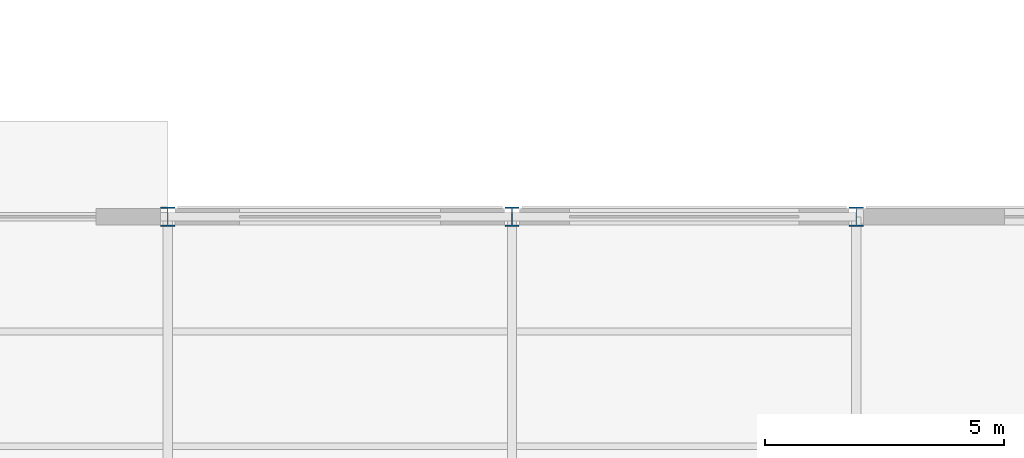
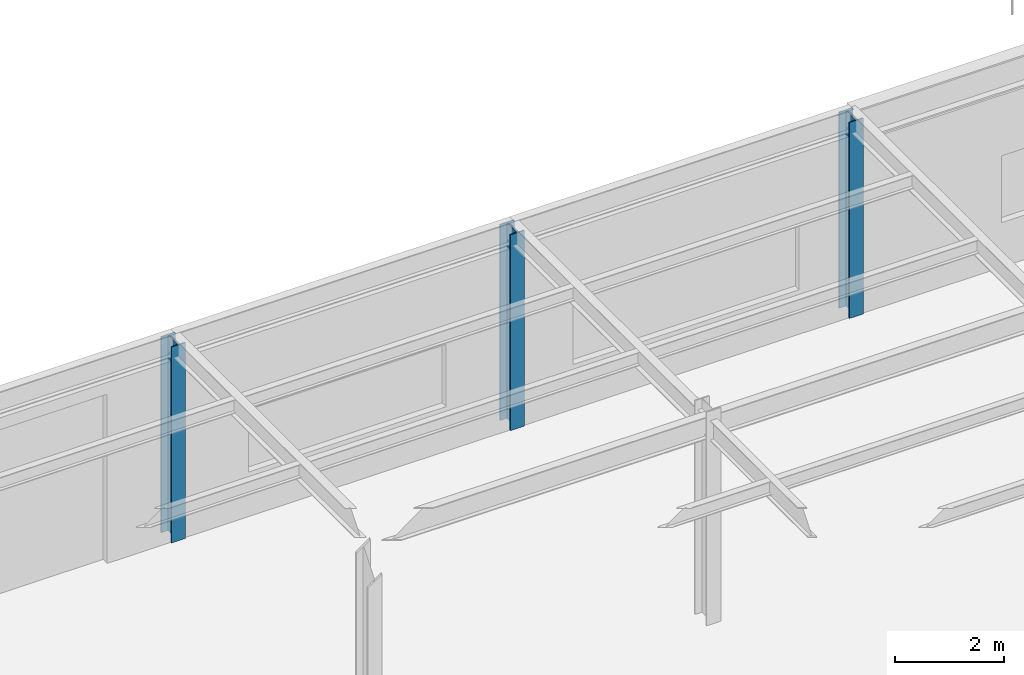
# One storey, part 13 of 83: 3 columns.
"""IFC4 building model written with IfcOpenShell, lengths in metres."""

from ifc_helpers import new_model, si_unit, direction, frame, origin, origin_2d, place, context, subcontext, project, spatial, i_section, extrude, material, material_profile, profile_set, type_object, element, save


model = new_model("IFC4")

# Units and contexts
model_context = context("Model", 3, precision=1e-05, world=origin(), true_north=direction((0.0, 1.0)))
body_context = subcontext(model_context, "Body", "Model", "MODEL_VIEW")
ifc_project = project(units=[si_unit("LENGTHUNIT", "METRE"), si_unit("AREAUNIT", "SQUARE_METRE"), si_unit("VOLUMEUNIT", "CUBIC_METRE"), si_unit("PLANEANGLEUNIT", "RADIAN"), si_unit("MASSUNIT", "GRAM", prefix="KILO")], contexts=[model_context])

# Site, building, storey
site_placement = place(None, origin())
site = spatial("IfcSite", under=ifc_project, at=site_placement, CompositionType="ELEMENT")
building_placement = place(site_placement, origin())
building = spatial("IfcBuilding", under=site, at=building_placement, Name="Solvadek Multi-Sports Hall", CompositionType="ELEMENT")
storey_placement = place(building_placement, origin())
storey = spatial("IfcBuildingStorey", under=building, at=storey_placement, Name="L00", CompositionType="ELEMENT", Elevation=0.0)

# Columns
ifc_material = material(Name="Steel E350 (350 MPa)", Category="steel")
ifc_material_profile = material_profile(ifc_material, i_section(OverallWidth=0.300048828125, OverallDepth=0.39990234375, WebThickness=0.013427734375, FlangeThickness=0.02392578125, at=origin_2d()), Name="WPB 400")
ifc_profile_set = profile_set([ifc_material_profile], Name="Steel E350 (350 MPa)")
column_type = type_object("IfcColumnType", Name="STR-COL-WPB400", PredefinedType="COLUMN", material=ifc_profile_set)
for number, where, z_axis, x_axis, name in (
    (1, (108.0, 56.39990234375, 0.0), (0.0, 0.0, 1.0), (1.0, 0.0, 0.0), "L00 Column C-07 #213"),
    (2, (115.199951171875, 56.39990234375, 0.0), (0.0, 0.0, 1.0), (1.0, 0.0, 0.0), "L00 Column C-07 #221"),
    (3, (122.39990234375, 56.39990234375, 0.0), (0.0, 0.0, 1.0), (1.0, 0.0, 0.0), "L00 Column C-07 #229"),
):
    element("IfcColumn", number, at=place(storey_placement, frame(where, z_axis=z_axis, x_axis=x_axis)), inside=storey, type_object=column_type, Name=name, PredefinedType="COLUMN", context=body_context, shape_type="SweptSolid", body=[
        extrude(i_section(OverallWidth=0.300048828125, OverallDepth=0.39990234375, WebThickness=0.013427734375, FlangeThickness=0.02392578125, at=origin_2d()), origin(), (0.0, 0.0, 1.0), 4.39990234375),
    ])

save(model, "model.ifc")
